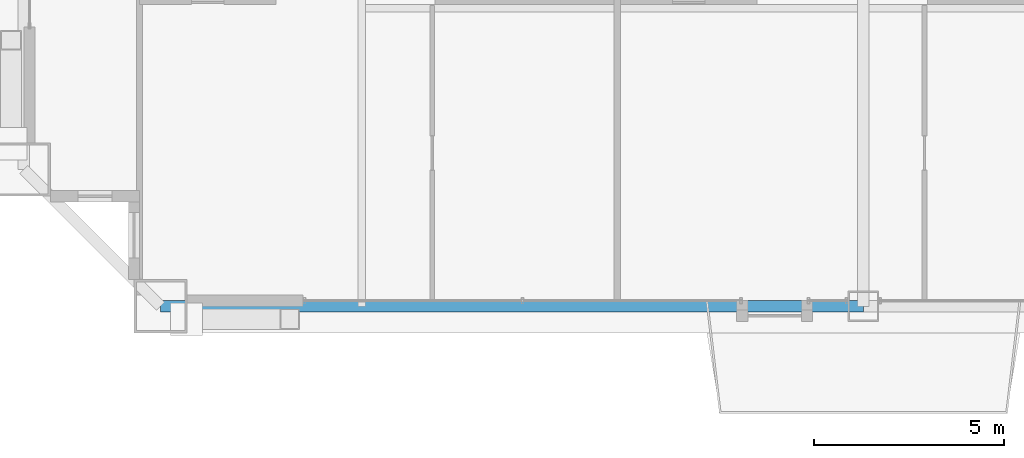
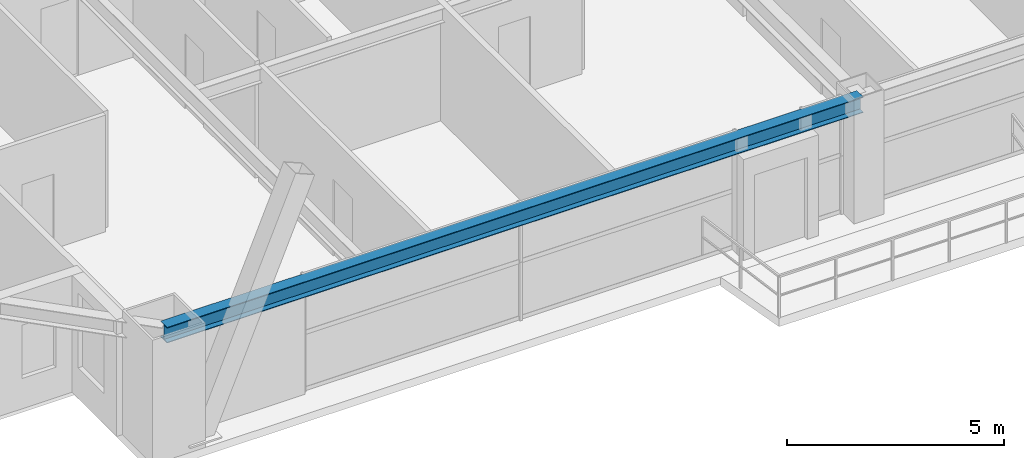
# One storey, part 5 of 42: 1 beam.
"""IFC4 building model written with IfcOpenShell, lengths in metres."""

from ifc_helpers import new_model, si_unit, direction, frame, origin, origin_2d, place, context, subcontext, project, spatial, i_section, extrude, source, transform, mapped, material, material_profile, profile_set, type_object, element, save


model = new_model("IFC4")

# Units and contexts
model_context = context("Model", 3, precision=1e-05, world=origin(), true_north=direction((0.0, 1.0)))
body_context = subcontext(model_context, "Body", "Model", "MODEL_VIEW")
ifc_project = project(units=[si_unit("LENGTHUNIT", "METRE"), si_unit("AREAUNIT", "SQUARE_METRE"), si_unit("VOLUMEUNIT", "CUBIC_METRE"), si_unit("PLANEANGLEUNIT", "RADIAN"), si_unit("MASSUNIT", "GRAM", prefix="KILO"), si_unit("THERMODYNAMICTEMPERATUREUNIT", "KELVIN"), si_unit("POWERUNIT", "WATT")], contexts=[model_context])

# Site, building, storey
site_placement = place(None, origin())
site = spatial("IfcSite", under=ifc_project, at=site_placement, CompositionType="ELEMENT")
building_placement = place(site_placement, origin())
building = spatial("IfcBuilding", under=site, at=building_placement, Name="Yuzanri Waterfront Tower", CompositionType="ELEMENT")
storey_placement = place(building_placement, frame((0.0, 0.0, 205.5)))
storey = spatial("IfcBuildingStorey", under=building, at=storey_placement, Name="L54", CompositionType="ELEMENT", Elevation=205.5)

# Beam
ifc_material = material(Name="Steel Q355B", Category="steel")
ifc_material_profile = material_profile(ifc_material, i_section(OverallWidth=0.300048828125, OverallDepth=0.43994140625, WebThickness=0.010986328125, FlangeThickness=0.01806640625, at=origin_2d()), Name="HM 440x300x11x18")
ifc_profile_set = profile_set([ifc_material_profile], Name="Steel Q355B")
beam_type = type_object("IfcBeamType", Name="Perimeter Spandrel Q355B HM 440x300", PredefinedType="SPANDREL", material=ifc_profile_set)
shared_shape = source(origin(), body_context, "Body", "SweptSolid", [
    extrude(i_section(OverallWidth=0.300048828125, OverallDepth=0.43994140625, WebThickness=0.010986328125, FlangeThickness=0.01806640625, at=origin_2d()), origin(), (0.0, 0.0, 1.0), 18.5),
])
beam_placement = place(storey_placement, frame((18.5, 3.699951171875, 3.06005859375), z_axis=(1.0, 0.0, 0.0), x_axis=(0.0, 1.0, 0.0)))
element("IfcBeam", 1, at=beam_placement, inside=storey, type_object=beam_type, Name="L54 Perimeter Spandrel S1-S2", PredefinedType="SPANDREL", context=body_context, shape_type="MappedRepresentation", body=[
    mapped(shared_shape, transform((0.0, 0.0, 0.0), scale=1.0)),
])

save(model, "model.ifc")
